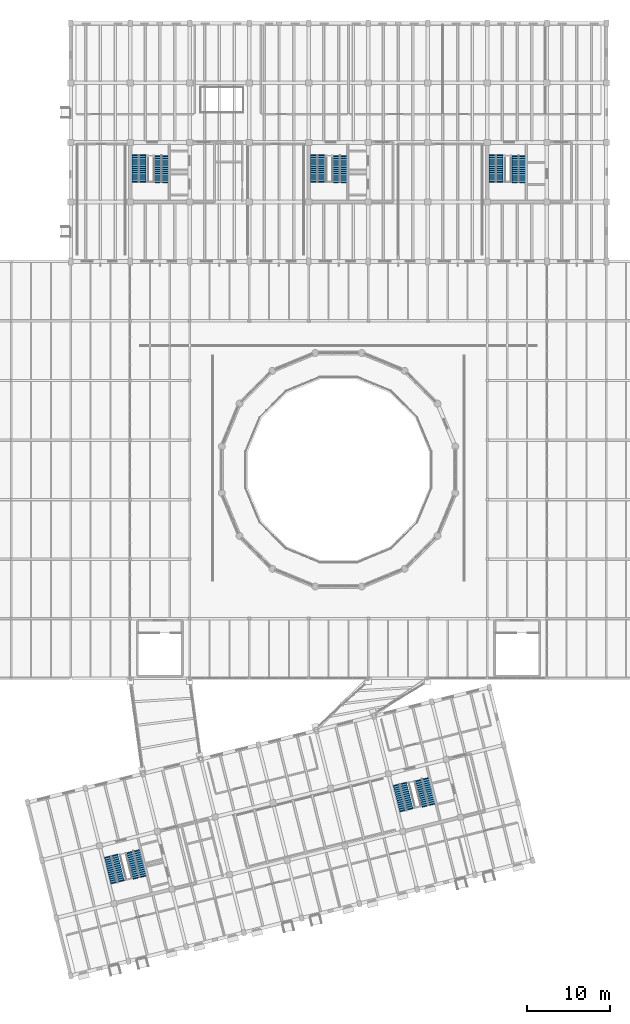
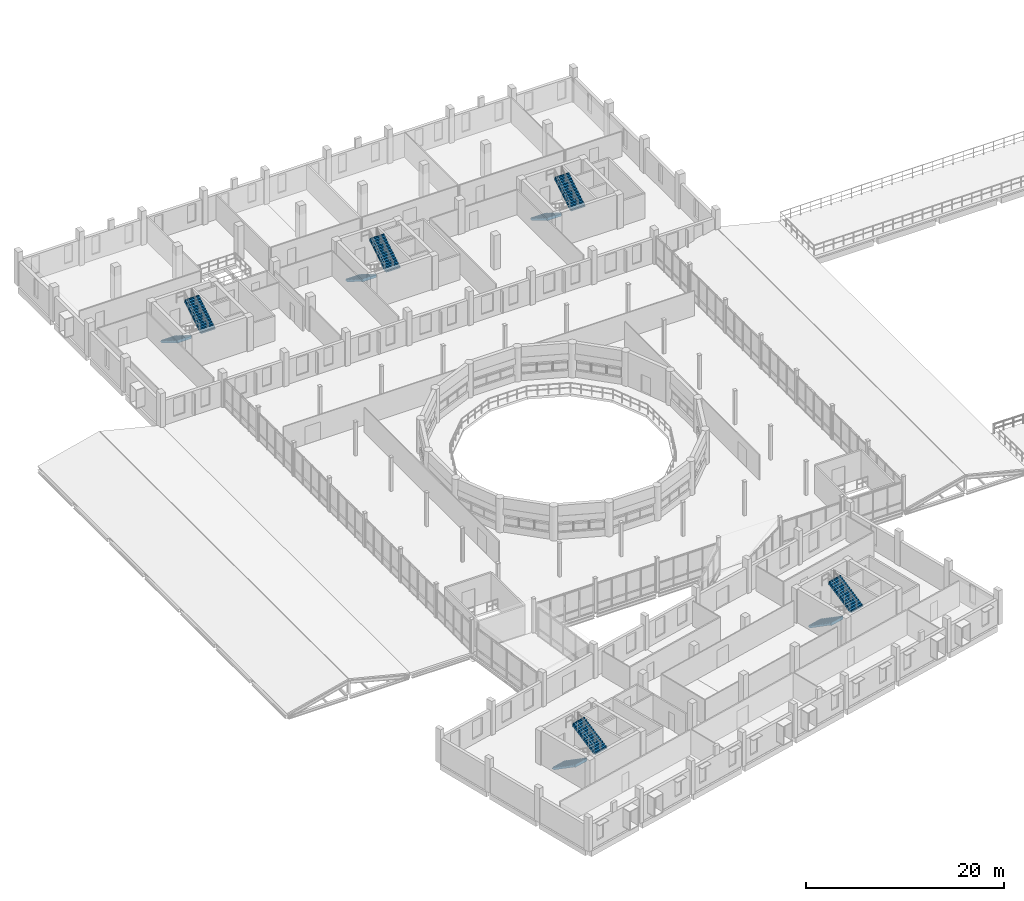
# One storey, part 58 of 63: 10 stair flights, 5 elements without a shape of their own.
"""IFC4 building model written with IfcOpenShell, lengths in metres."""

from ifc_helpers import new_model, si_unit, direction, frame, origin, place, context, subcontext, project, spatial, polyline, outline, extrude, material, type_object, element, aggregate, save


model = new_model("IFC4")

# Units and contexts
model_context = context("Model", 3, precision=1e-05, world=origin(), true_north=direction((0.0, 1.0)))
body_context = subcontext(model_context, "Body", "Model", "MODEL_VIEW")
ifc_project = project(units=[si_unit("LENGTHUNIT", "METRE"), si_unit("AREAUNIT", "SQUARE_METRE"), si_unit("VOLUMEUNIT", "CUBIC_METRE"), si_unit("PLANEANGLEUNIT", "RADIAN"), si_unit("MASSUNIT", "GRAM", prefix="KILO")], contexts=[model_context])

# Site, building, storey
site_placement = place(None, origin())
site = spatial("IfcSite", under=ifc_project, at=site_placement, CompositionType="ELEMENT")
building_placement = place(site_placement, origin())
building = spatial("IfcBuilding", under=site, at=building_placement, Name="Qiaolan Assembly House", CompositionType="ELEMENT")
storey_placement = place(building_placement, frame((0.0, 0.0, 14.39990234375)))
storey = spatial("IfcBuildingStorey", under=building, at=storey_placement, Name="L03", CompositionType="ELEMENT", Elevation=14.39990234375)

# Stair, stair flights
ifc_material = material(Name="Concrete C40/50", Category="concrete")
stair_type = type_object("IfcStairType", Name="STR-STD-420", PredefinedType="HALF_TURN_STAIR", material=ifc_material)
stair_1_placement = place(storey_placement, origin())
stair_1 = element("IfcStair", 1, at=stair_1_placement, inside=storey, type_object=stair_type, Name="ST-05 enclosed egress stair CORE-A L03", PredefinedType="HALF_TURN_STAIR")
stair_flight_type = type_object("IfcStairFlightType", Name="STR-STD-420-FLT", PredefinedType="STRAIGHT", material=ifc_material)
stair_flight_1_placement = place(storey_placement, frame((44.25, 99.2099609375, 0.0), z_axis=(0.0, 0.0, 1.0), x_axis=(0.0, -1.0, 0.0)))
stair_flight_1 = element("IfcStairFlight", 2, at=stair_flight_1_placement, type_object=stair_flight_type, Name="ST-05F stair flight FLT-CORE-A-L03-1", NumberOfRisers=13, NumberOfTreads=12, PredefinedType="STRAIGHT", RiserHeight=0.161538, TreadLength=0.26, context=body_context, shape_type="SweptSolid", body=[
    extrude(outline(polyline([(-0.10009765625, -0.1201171875), (-0.10009765625, 0.0), (0.0, 0.0), (0.0, 0.16162109375), (0.260009765625, 0.16162109375), (0.260009765625, 0.322998046875), (0.52001953125, 0.322998046875), (0.52001953125, 0.484619140625), (0.780029296875, 0.484619140625), (0.780029296875, 0.646240234375), (1.0400390625, 0.646240234375), (1.0400390625, 0.8076171875), (1.300048828125, 0.8076171875), (1.300048828125, 0.96923828125), (1.56005859375, 0.96923828125), (1.56005859375, 1.130859375), (1.820068359375, 1.130859375), (1.820068359375, 1.292236328125), (2.080078125, 1.292236328125), (2.080078125, 1.453857421875), (2.340087890625, 1.453857421875), (2.340087890625, 1.615478515625), (2.60009765625, 1.615478515625), (2.60009765625, 1.77685546875), (2.860107421875, 1.77685546875), (2.860107421875, 1.9384765625), (3.1201171875, 1.9384765625), (3.1201171875, 2.10009765625), (3.240234375, 2.10009765625), (3.240234375, 1.703125), (3.1201171875, 1.703125), (0.185546875, -0.1201171875), (-0.10009765625, -0.1201171875)])), frame((0.0, 0.83984375, 0.0), z_axis=(0.0, -1.0, 0.0), x_axis=(1.0, 0.0, 0.0)), (0.0, 0.0, 1.0), 1.679931640625),
])
stair_flight_2_placement = place(storey_placement, frame((47.0, 95.969970703125, 2.10009765625), z_axis=(0.0, 0.0, 1.0), x_axis=(0.0, 1.0, 0.0)))
stair_flight_2 = element("IfcStairFlight", 3, at=stair_flight_2_placement, type_object=stair_flight_type, Name="ST-05F stair flight FLT-CORE-A-L03-2", NumberOfRisers=13, NumberOfTreads=12, PredefinedType="STRAIGHT", RiserHeight=0.161538, TreadLength=0.26, context=body_context, shape_type="SweptSolid", body=[
    extrude(outline(polyline([(-0.10009765625, -0.1201171875), (-0.10009765625, 0.0), (0.0, 0.0), (0.0, 0.16162109375), (0.260009765625, 0.16162109375), (0.260009765625, 0.322998046875), (0.52001953125, 0.322998046875), (0.52001953125, 0.484619140625), (0.780029296875, 0.484619140625), (0.780029296875, 0.646240234375), (1.0400390625, 0.646240234375), (1.0400390625, 0.8076171875), (1.300048828125, 0.8076171875), (1.300048828125, 0.96923828125), (1.56005859375, 0.96923828125), (1.56005859375, 1.130859375), (1.820068359375, 1.130859375), (1.820068359375, 1.292236328125), (2.080078125, 1.292236328125), (2.080078125, 1.453857421875), (2.340087890625, 1.453857421875), (2.340087890625, 1.615478515625), (2.60009765625, 1.615478515625), (2.60009765625, 1.77685546875), (2.860107421875, 1.77685546875), (2.860107421875, 1.9384765625), (3.1201171875, 1.9384765625), (3.1201171875, 2.10009765625), (3.240234375, 2.10009765625), (3.240234375, 1.703125), (3.1201171875, 1.703125), (0.185546875, -0.1201171875), (-0.10009765625, -0.1201171875)])), frame((0.0, 0.83984375, 0.0), z_axis=(0.0, -1.0, 0.0), x_axis=(1.0, 0.0, 0.0)), (0.0, 0.0, 1.0), 1.679931640625),
])
aggregate(stair_1, [stair_flight_1, stair_flight_2])

stair_2_placement = place(storey_placement, origin())
stair_2 = element("IfcStair", 4, at=stair_2_placement, inside=storey, type_object=stair_type, Name="ST-05 enclosed egress stair CORE-B L03", PredefinedType="HALF_TURN_STAIR")
stair_flight_3_placement = place(storey_placement, frame((65.85009765625, 99.2099609375, 0.0), z_axis=(0.0, 0.0, 1.0), x_axis=(0.0, -1.0, 0.0)))
stair_flight_3 = element("IfcStairFlight", 5, at=stair_flight_3_placement, type_object=stair_flight_type, Name="ST-05F stair flight FLT-CORE-B-L03-1", NumberOfRisers=13, NumberOfTreads=12, PredefinedType="STRAIGHT", RiserHeight=0.161538, TreadLength=0.26, context=body_context, shape_type="SweptSolid", body=[
    extrude(outline(polyline([(-0.10009765625, -0.1201171875), (-0.10009765625, 0.0), (0.0, 0.0), (0.0, 0.16162109375), (0.260009765625, 0.16162109375), (0.260009765625, 0.322998046875), (0.52001953125, 0.322998046875), (0.52001953125, 0.484619140625), (0.780029296875, 0.484619140625), (0.780029296875, 0.646240234375), (1.0400390625, 0.646240234375), (1.0400390625, 0.8076171875), (1.300048828125, 0.8076171875), (1.300048828125, 0.96923828125), (1.56005859375, 0.96923828125), (1.56005859375, 1.130859375), (1.820068359375, 1.130859375), (1.820068359375, 1.292236328125), (2.080078125, 1.292236328125), (2.080078125, 1.453857421875), (2.340087890625, 1.453857421875), (2.340087890625, 1.615478515625), (2.60009765625, 1.615478515625), (2.60009765625, 1.77685546875), (2.860107421875, 1.77685546875), (2.860107421875, 1.9384765625), (3.1201171875, 1.9384765625), (3.1201171875, 2.10009765625), (3.240234375, 2.10009765625), (3.240234375, 1.703125), (3.1201171875, 1.703125), (0.185546875, -0.1201171875), (-0.10009765625, -0.1201171875)])), frame((0.0, 0.83984375, 0.0), z_axis=(0.0, -1.0, 0.0), x_axis=(1.0, 0.0, 0.0)), (0.0, 0.0, 1.0), 1.679931640625),
])
stair_flight_4_placement = place(storey_placement, frame((68.60009765625, 95.969970703125, 2.10009765625), z_axis=(0.0, 0.0, 1.0), x_axis=(0.0, 1.0, 0.0)))
stair_flight_4 = element("IfcStairFlight", 6, at=stair_flight_4_placement, type_object=stair_flight_type, Name="ST-05F stair flight FLT-CORE-B-L03-2", NumberOfRisers=13, NumberOfTreads=12, PredefinedType="STRAIGHT", RiserHeight=0.161538, TreadLength=0.26, context=body_context, shape_type="SweptSolid", body=[
    extrude(outline(polyline([(-0.10009765625, -0.1201171875), (-0.10009765625, 0.0), (0.0, 0.0), (0.0, 0.16162109375), (0.260009765625, 0.16162109375), (0.260009765625, 0.322998046875), (0.52001953125, 0.322998046875), (0.52001953125, 0.484619140625), (0.780029296875, 0.484619140625), (0.780029296875, 0.646240234375), (1.0400390625, 0.646240234375), (1.0400390625, 0.8076171875), (1.300048828125, 0.8076171875), (1.300048828125, 0.96923828125), (1.56005859375, 0.96923828125), (1.56005859375, 1.130859375), (1.820068359375, 1.130859375), (1.820068359375, 1.292236328125), (2.080078125, 1.292236328125), (2.080078125, 1.453857421875), (2.340087890625, 1.453857421875), (2.340087890625, 1.615478515625), (2.60009765625, 1.615478515625), (2.60009765625, 1.77685546875), (2.860107421875, 1.77685546875), (2.860107421875, 1.9384765625), (3.1201171875, 1.9384765625), (3.1201171875, 2.10009765625), (3.240234375, 2.10009765625), (3.240234375, 1.703125), (3.1201171875, 1.703125), (0.185546875, -0.1201171875), (-0.10009765625, -0.1201171875)])), frame((0.0, 0.83984375, 0.0), z_axis=(0.0, -1.0, 0.0), x_axis=(1.0, 0.0, 0.0)), (0.0, 0.0, 1.0), 1.679931640625),
])
aggregate(stair_2, [stair_flight_3, stair_flight_4])

stair_3_placement = place(storey_placement, origin())
stair_3 = element("IfcStair", 7, at=stair_3_placement, inside=storey, type_object=stair_type, Name="ST-05 enclosed egress stair CORE-G L03", PredefinedType="HALF_TURN_STAIR")
stair_flight_5_placement = place(storey_placement, frame((87.449951171875, 99.2099609375, 0.0), z_axis=(0.0, 0.0, 1.0), x_axis=(0.0, -1.0, 0.0)))
stair_flight_5 = element("IfcStairFlight", 8, at=stair_flight_5_placement, type_object=stair_flight_type, Name="ST-05F stair flight FLT-CORE-G-L03-1", NumberOfRisers=13, NumberOfTreads=12, PredefinedType="STRAIGHT", RiserHeight=0.161538, TreadLength=0.26, context=body_context, shape_type="SweptSolid", body=[
    extrude(outline(polyline([(-0.10009765625, -0.1201171875), (-0.10009765625, 0.0), (0.0, 0.0), (0.0, 0.16162109375), (0.260009765625, 0.16162109375), (0.260009765625, 0.322998046875), (0.52001953125, 0.322998046875), (0.52001953125, 0.484619140625), (0.780029296875, 0.484619140625), (0.780029296875, 0.646240234375), (1.0400390625, 0.646240234375), (1.0400390625, 0.8076171875), (1.300048828125, 0.8076171875), (1.300048828125, 0.96923828125), (1.56005859375, 0.96923828125), (1.56005859375, 1.130859375), (1.820068359375, 1.130859375), (1.820068359375, 1.292236328125), (2.080078125, 1.292236328125), (2.080078125, 1.453857421875), (2.340087890625, 1.453857421875), (2.340087890625, 1.615478515625), (2.60009765625, 1.615478515625), (2.60009765625, 1.77685546875), (2.860107421875, 1.77685546875), (2.860107421875, 1.9384765625), (3.1201171875, 1.9384765625), (3.1201171875, 2.10009765625), (3.240234375, 2.10009765625), (3.240234375, 1.703125), (3.1201171875, 1.703125), (0.185546875, -0.1201171875), (-0.10009765625, -0.1201171875)])), frame((0.0, 0.83984375, 0.0), z_axis=(0.0, -1.0, 0.0), x_axis=(1.0, 0.0, 0.0)), (0.0, 0.0, 1.0), 1.679931640625),
])
stair_flight_6_placement = place(storey_placement, frame((90.199951171875, 95.969970703125, 2.10009765625), z_axis=(0.0, 0.0, 1.0), x_axis=(0.0, 1.0, 0.0)))
stair_flight_6 = element("IfcStairFlight", 9, at=stair_flight_6_placement, type_object=stair_flight_type, Name="ST-05F stair flight FLT-CORE-G-L03-2", NumberOfRisers=13, NumberOfTreads=12, PredefinedType="STRAIGHT", RiserHeight=0.161538, TreadLength=0.26, context=body_context, shape_type="SweptSolid", body=[
    extrude(outline(polyline([(-0.10009765625, -0.1201171875), (-0.10009765625, 0.0), (0.0, 0.0), (0.0, 0.16162109375), (0.260009765625, 0.16162109375), (0.260009765625, 0.322998046875), (0.52001953125, 0.322998046875), (0.52001953125, 0.484619140625), (0.780029296875, 0.484619140625), (0.780029296875, 0.646240234375), (1.0400390625, 0.646240234375), (1.0400390625, 0.8076171875), (1.300048828125, 0.8076171875), (1.300048828125, 0.96923828125), (1.56005859375, 0.96923828125), (1.56005859375, 1.130859375), (1.820068359375, 1.130859375), (1.820068359375, 1.292236328125), (2.080078125, 1.292236328125), (2.080078125, 1.453857421875), (2.340087890625, 1.453857421875), (2.340087890625, 1.615478515625), (2.60009765625, 1.615478515625), (2.60009765625, 1.77685546875), (2.860107421875, 1.77685546875), (2.860107421875, 1.9384765625), (3.1201171875, 1.9384765625), (3.1201171875, 2.10009765625), (3.240234375, 2.10009765625), (3.240234375, 1.703125), (3.1201171875, 1.703125), (0.185546875, -0.1201171875), (-0.10009765625, -0.1201171875)])), frame((0.0, 0.83984375, 0.0), z_axis=(0.0, -1.0, 0.0), x_axis=(1.0, 0.0, 0.0)), (0.0, 0.0, 1.0), 1.679931640625),
])
aggregate(stair_3, [stair_flight_5, stair_flight_6])

stair_4_placement = place(storey_placement, origin())
stair_4 = element("IfcStair", 10, at=stair_4_placement, inside=storey, type_object=stair_type, Name="ST-05 enclosed egress stair CORE-C L03", PredefinedType="HALF_TURN_STAIR")
stair_flight_7_placement = place(storey_placement, frame((40.906005859375, 14.42529296875, 0.0), z_axis=(0.0, 0.0, 1.0), x_axis=(0.241921929469, -0.970295717831, 0.0)))
stair_flight_7 = element("IfcStairFlight", 11, at=stair_flight_7_placement, type_object=stair_flight_type, Name="ST-05F stair flight FLT-CORE-C-L03-1", NumberOfRisers=13, NumberOfTreads=12, PredefinedType="STRAIGHT", RiserHeight=0.161538, TreadLength=0.26, context=body_context, shape_type="SweptSolid", body=[
    extrude(outline(polyline([(-0.10009765625, -0.1201171875), (-0.10009765625, 0.0), (0.0, 0.0), (0.0, 0.16162109375), (0.260009765625, 0.16162109375), (0.260009765625, 0.322998046875), (0.52001953125, 0.322998046875), (0.52001953125, 0.484619140625), (0.780029296875, 0.484619140625), (0.780029296875, 0.646240234375), (1.0400390625, 0.646240234375), (1.0400390625, 0.8076171875), (1.300048828125, 0.8076171875), (1.300048828125, 0.96923828125), (1.56005859375, 0.96923828125), (1.56005859375, 1.130859375), (1.820068359375, 1.130859375), (1.820068359375, 1.292236328125), (2.080078125, 1.292236328125), (2.080078125, 1.453857421875), (2.340087890625, 1.453857421875), (2.340087890625, 1.615478515625), (2.60009765625, 1.615478515625), (2.60009765625, 1.77685546875), (2.860107421875, 1.77685546875), (2.860107421875, 1.9384765625), (3.1201171875, 1.9384765625), (3.1201171875, 2.10009765625), (3.240234375, 2.10009765625), (3.240234375, 1.703125), (3.1201171875, 1.703125), (0.185546875, -0.1201171875), (-0.10009765625, -0.1201171875)])), frame((0.0, 0.83984375, 0.0), z_axis=(0.0, -1.0, 0.0), x_axis=(1.0, 0.0, 0.0)), (0.0, 0.0, 1.0), 1.679931640625),
])
stair_flight_8_placement = place(storey_placement, frame((44.358154296875, 11.94677734375, 2.10009765625), z_axis=(0.0, 0.0, 1.0), x_axis=(-0.241921624642, 0.970295793833, 0.0)))
stair_flight_8 = element("IfcStairFlight", 12, at=stair_flight_8_placement, type_object=stair_flight_type, Name="ST-05F stair flight FLT-CORE-C-L03-2", NumberOfRisers=13, NumberOfTreads=12, PredefinedType="STRAIGHT", RiserHeight=0.161538, TreadLength=0.26, context=body_context, shape_type="SweptSolid", body=[
    extrude(outline(polyline([(-0.10009765625, -0.1201171875), (-0.10009765625, 0.0), (0.0, 0.0), (0.0, 0.16162109375), (0.260009765625, 0.16162109375), (0.260009765625, 0.322998046875), (0.52001953125, 0.322998046875), (0.52001953125, 0.484619140625), (0.780029296875, 0.484619140625), (0.780029296875, 0.646240234375), (1.0400390625, 0.646240234375), (1.0400390625, 0.8076171875), (1.300048828125, 0.8076171875), (1.300048828125, 0.96923828125), (1.56005859375, 0.96923828125), (1.56005859375, 1.130859375), (1.820068359375, 1.130859375), (1.820068359375, 1.292236328125), (2.080078125, 1.292236328125), (2.080078125, 1.453857421875), (2.340087890625, 1.453857421875), (2.340087890625, 1.615478515625), (2.60009765625, 1.615478515625), (2.60009765625, 1.77685546875), (2.860107421875, 1.77685546875), (2.860107421875, 1.9384765625), (3.1201171875, 1.9384765625), (3.1201171875, 2.10009765625), (3.240234375, 2.10009765625), (3.240234375, 1.703125), (3.1201171875, 1.703125), (0.185546875, -0.1201171875), (-0.10009765625, -0.1201171875)])), frame((0.0, 0.83984375, 0.0), z_axis=(0.0, -1.0, 0.0), x_axis=(1.0, 0.0, 0.0)), (0.0, 0.0, 1.0), 1.679931640625),
])
aggregate(stair_4, [stair_flight_7, stair_flight_8])

stair_5_placement = place(storey_placement, origin())
stair_5 = element("IfcStair", 13, at=stair_5_placement, inside=storey, type_object=stair_type, Name="ST-05 enclosed egress stair CORE-D L03", PredefinedType="HALF_TURN_STAIR")
stair_flight_9_placement = place(storey_placement, frame((75.836669921875, 23.134521484375, 0.0), z_axis=(0.0, 0.0, 1.0), x_axis=(0.241921929469, -0.970295717831, 0.0)))
stair_flight_9 = element("IfcStairFlight", 14, at=stair_flight_9_placement, type_object=stair_flight_type, Name="ST-05F stair flight FLT-CORE-D-L03-1", NumberOfRisers=13, NumberOfTreads=12, PredefinedType="STRAIGHT", RiserHeight=0.161538, TreadLength=0.26, context=body_context, shape_type="SweptSolid", body=[
    extrude(outline(polyline([(-0.10009765625, -0.1201171875), (-0.10009765625, 0.0), (0.0, 0.0), (0.0, 0.16162109375), (0.260009765625, 0.16162109375), (0.260009765625, 0.322998046875), (0.52001953125, 0.322998046875), (0.52001953125, 0.484619140625), (0.780029296875, 0.484619140625), (0.780029296875, 0.646240234375), (1.0400390625, 0.646240234375), (1.0400390625, 0.8076171875), (1.300048828125, 0.8076171875), (1.300048828125, 0.96923828125), (1.56005859375, 0.96923828125), (1.56005859375, 1.130859375), (1.820068359375, 1.130859375), (1.820068359375, 1.292236328125), (2.080078125, 1.292236328125), (2.080078125, 1.453857421875), (2.340087890625, 1.453857421875), (2.340087890625, 1.615478515625), (2.60009765625, 1.615478515625), (2.60009765625, 1.77685546875), (2.860107421875, 1.77685546875), (2.860107421875, 1.9384765625), (3.1201171875, 1.9384765625), (3.1201171875, 2.10009765625), (3.240234375, 2.10009765625), (3.240234375, 1.703125), (3.1201171875, 1.703125), (0.185546875, -0.1201171875), (-0.10009765625, -0.1201171875)])), frame((0.0, 0.83984375, 0.0), z_axis=(0.0, -1.0, 0.0), x_axis=(1.0, 0.0, 0.0)), (0.0, 0.0, 1.0), 1.679931640625),
])
stair_flight_10_placement = place(storey_placement, frame((79.288818359375, 20.656005859375, 2.10009765625), z_axis=(0.0, 0.0, 1.0), x_axis=(-0.241921929469, 0.970295717831, 0.0)))
stair_flight_10 = element("IfcStairFlight", 15, at=stair_flight_10_placement, type_object=stair_flight_type, Name="ST-05F stair flight FLT-CORE-D-L03-2", NumberOfRisers=13, NumberOfTreads=12, PredefinedType="STRAIGHT", RiserHeight=0.161538, TreadLength=0.26, context=body_context, shape_type="SweptSolid", body=[
    extrude(outline(polyline([(-0.10009765625, -0.1201171875), (-0.10009765625, 0.0), (0.0, 0.0), (0.0, 0.16162109375), (0.260009765625, 0.16162109375), (0.260009765625, 0.322998046875), (0.52001953125, 0.322998046875), (0.52001953125, 0.484619140625), (0.780029296875, 0.484619140625), (0.780029296875, 0.646240234375), (1.0400390625, 0.646240234375), (1.0400390625, 0.8076171875), (1.300048828125, 0.8076171875), (1.300048828125, 0.96923828125), (1.56005859375, 0.96923828125), (1.56005859375, 1.130859375), (1.820068359375, 1.130859375), (1.820068359375, 1.292236328125), (2.080078125, 1.292236328125), (2.080078125, 1.453857421875), (2.340087890625, 1.453857421875), (2.340087890625, 1.615478515625), (2.60009765625, 1.615478515625), (2.60009765625, 1.77685546875), (2.860107421875, 1.77685546875), (2.860107421875, 1.9384765625), (3.1201171875, 1.9384765625), (3.1201171875, 2.10009765625), (3.240234375, 2.10009765625), (3.240234375, 1.703125), (3.1201171875, 1.703125), (0.185546875, -0.1201171875), (-0.10009765625, -0.1201171875)])), frame((0.0, 0.83984375, 0.0), z_axis=(0.0, -1.0, 0.0), x_axis=(1.0, 0.0, 0.0)), (0.0, 0.0, 1.0), 1.679931640625),
])
aggregate(stair_5, [stair_flight_9, stair_flight_10])

save(model, "model.ifc")
